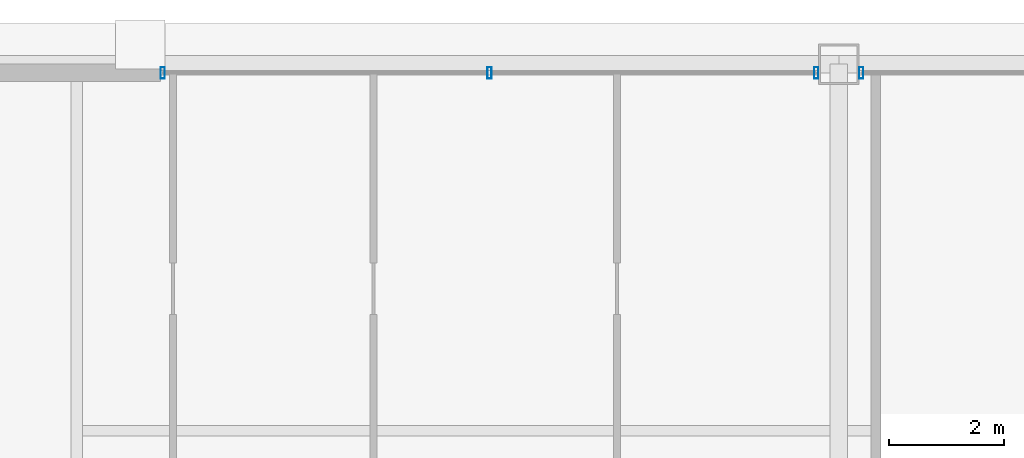
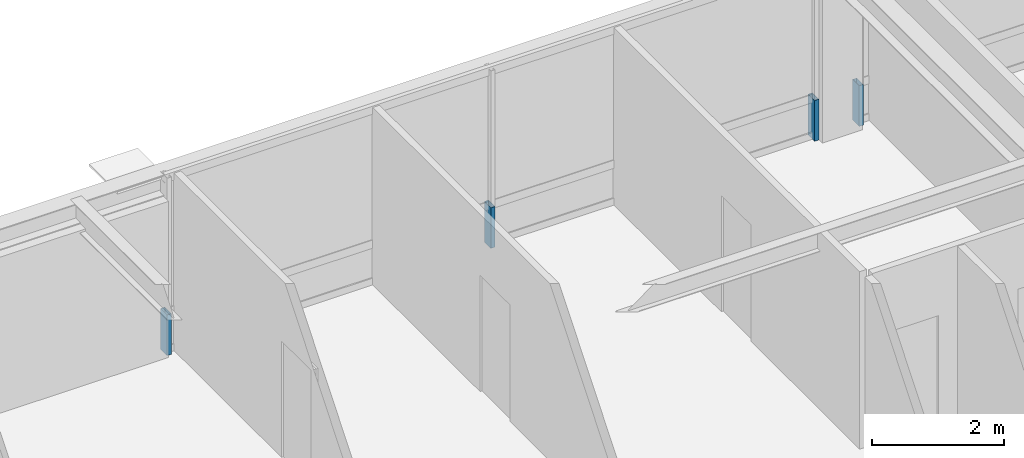
# One storey, part 27 of 35: 4 members, 2 elements without a shape of their own.
"""IFC4 building model written with IfcOpenShell, lengths in metres."""

from ifc_helpers import new_model, si_unit, direction, frame, origin, origin_2d, place, context, subcontext, project, spatial, hollow_rectangle, extrude, source, transform, mapped, material, layer, layer_set, material_profile, profile_set, type_object, element, aggregate, save


model = new_model("IFC4")

# Units and contexts
model_context = context("Model", 3, precision=1e-05, world=origin(), true_north=direction((0.0, 1.0)))
body_context = subcontext(model_context, "Body", "Model", "MODEL_VIEW")
ifc_project = project(units=[si_unit("LENGTHUNIT", "METRE"), si_unit("AREAUNIT", "SQUARE_METRE"), si_unit("VOLUMEUNIT", "CUBIC_METRE"), si_unit("PLANEANGLEUNIT", "RADIAN"), si_unit("MASSUNIT", "GRAM", prefix="KILO"), si_unit("THERMODYNAMICTEMPERATUREUNIT", "KELVIN"), si_unit("POWERUNIT", "WATT")], contexts=[model_context])

# Site, building, storey
site_placement = place(None, origin())
site = spatial("IfcSite", under=ifc_project, at=site_placement, CompositionType="ELEMENT")
building_placement = place(site_placement, origin())
building = spatial("IfcBuilding", under=site, at=building_placement, Name="Yuzanri Waterfront Tower", CompositionType="ELEMENT")
storey_placement = place(building_placement, frame((0.0, 0.0, 289.10009765625)))
storey = spatial("IfcBuildingStorey", under=building, at=storey_placement, Name="L77", CompositionType="ELEMENT", Elevation=289.10009765625)

# Curtain wall, members
ifc_material_1 = material(Name="Anodized Architectural Bronze", Category="metal")
ifc_layer = layer(ifc_material_1, 0.159912109375)
ifc_layer_set = layer_set([ifc_layer], Name="Anodized Architectural Bronze")
curtain_wall_type = type_object("IfcCurtainWallType", Name="Anodized Bronze High-Rise Penthouse High-Wind Unitized Curtain Wall 6900", PredefinedType="NOTDEFINED", material=ifc_layer_set)
curtain_wall_1_placement = place(storey_placement, origin())
curtain_wall_1 = element("IfcCurtainWall", 1, at=curtain_wall_1_placement, inside=storey, type_object=curtain_wall_type, Name="L77 Curtain Wall CW-L77-NL", PredefinedType="NOTDEFINED")
ifc_material_2 = material(Name="Anodized Architectural Bronze", Category="metal")
ifc_material_profile = material_profile(ifc_material_2, hollow_rectangle(XDim=0.074951171875, YDim=0.199951171875, WallThickness=0.00390625, at=origin_2d()), Name="CWM 75x200")
ifc_profile_set = profile_set([ifc_material_profile], Name="Anodized Architectural Bronze")
member_type = type_object("IfcMemberType", Name="Anodized Bronze Primary Curtain-Wall Mullion 75x200", PredefinedType="MULLION", material=ifc_profile_set)
shared_shape = source(origin(), body_context, "Body", "SweptSolid", [
    extrude(hollow_rectangle(XDim=0.074951171875, YDim=0.199951171875, WallThickness=0.00390625, at=origin_2d()), origin(), (0.0, 0.0, 1.0), 0.751953125),
])
member_1_placement = place(storey_placement, frame((25.2900390625, 44.75, 0.0), z_axis=(0.0, 0.0, 1.0), x_axis=(1.0, 0.0, 0.0)))
member_1 = element("IfcMember", 2, at=member_1_placement, type_object=member_type, Name="CW-L77-NL Lower Mullion 00", PredefinedType="MULLION", context=body_context, shape_type="MappedRepresentation", body=[
    mapped(shared_shape, transform((0.0, 0.0, 0.0), scale=1.0)),
])
member_2_placement = place(storey_placement, frame((30.949951171875, 44.75, 0.0), z_axis=(0.0, 0.0, 1.0), x_axis=(1.0, 0.0, 0.0)))
member_2 = element("IfcMember", 3, at=member_2_placement, type_object=member_type, Name="CW-L77-NL Lower Mullion 01", PredefinedType="MULLION", context=body_context, shape_type="MappedRepresentation", body=[
    mapped(shared_shape, transform((0.0, 0.0, 0.0), scale=1.0)),
])
member_3_placement = place(storey_placement, frame((36.610107421875, 44.75, 0.0), z_axis=(0.0, 0.0, 1.0), x_axis=(1.0, 0.0, 0.0)))
member_3 = element("IfcMember", 4, at=member_3_placement, type_object=member_type, Name="CW-L77-NL Lower Mullion 02", PredefinedType="MULLION", context=body_context, shape_type="MappedRepresentation", body=[
    mapped(shared_shape, transform((0.0, 0.0, 0.0), scale=1.0)),
])
aggregate(curtain_wall_1, [member_1, member_2, member_3])

# Curtain wall, member
curtain_wall_2_placement = place(storey_placement, origin())
curtain_wall_2 = element("IfcCurtainWall", 5, at=curtain_wall_2_placement, inside=storey, type_object=curtain_wall_type, Name="L77 Curtain Wall CW-L77-NR", PredefinedType="NOTDEFINED")
member_4_placement = place(storey_placement, frame((37.389892578125, 44.75, 0.0), z_axis=(0.0, 0.0, 1.0), x_axis=(1.0, 0.0, 0.0)))
member_4 = element("IfcMember", 6, at=member_4_placement, type_object=member_type, Name="CW-L77-NR Lower Mullion 00", PredefinedType="MULLION", context=body_context, shape_type="MappedRepresentation", body=[
    mapped(shared_shape, transform((0.0, 0.0, 0.0), scale=1.0)),
])
aggregate(curtain_wall_2, [member_4])

save(model, "model.ifc")
